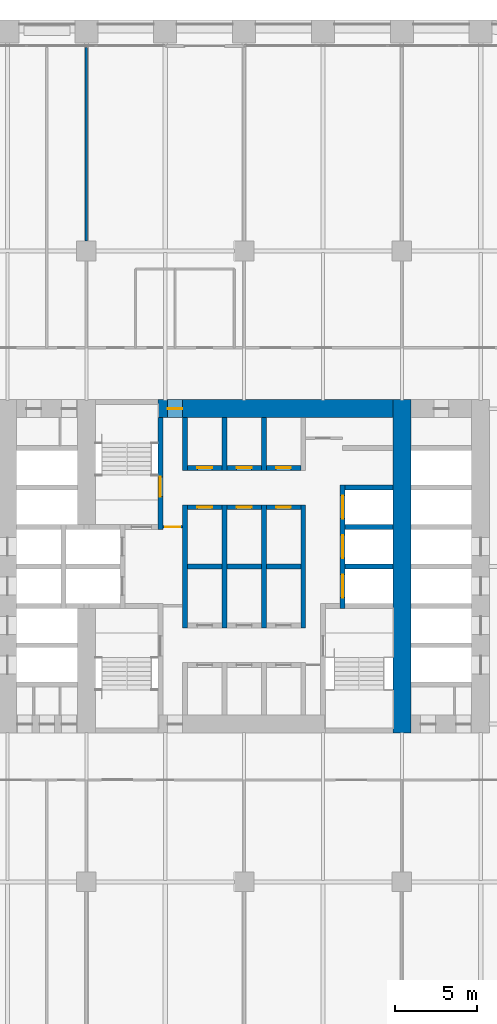
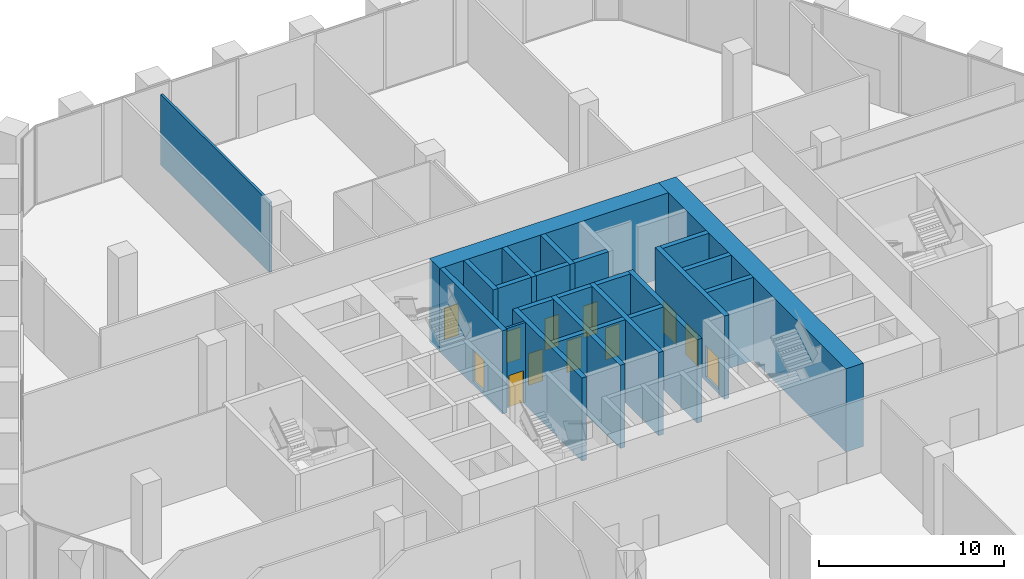
# One storey, part 20 of 27: 25 walls, 12 doors, 12 openings.
"""IFC4 building model written with IfcOpenShell, lengths in metres."""

from ifc_helpers import new_model, si_unit, direction, frame, frame_2d, origin, place, context, subcontext, project, spatial, rectangle, extrude, material, layer, layer_set, type_object, element, fill, save


model = new_model("IFC4")

# Units and contexts
model_context = context("Model", 3, precision=1e-05, world=origin(), true_north=direction((0.0, 1.0)))
body_context = subcontext(model_context, "Body", "Model", "MODEL_VIEW")
ifc_project = project(units=[si_unit("LENGTHUNIT", "METRE"), si_unit("AREAUNIT", "SQUARE_METRE"), si_unit("VOLUMEUNIT", "CUBIC_METRE"), si_unit("PLANEANGLEUNIT", "RADIAN"), si_unit("MASSUNIT", "GRAM", prefix="KILO")], contexts=[model_context])

# Site, building, storey
site_placement = place(None, origin())
site = spatial("IfcSite", under=ifc_project, at=site_placement, CompositionType="ELEMENT")
building_placement = place(site_placement, origin())
building = spatial("IfcBuilding", under=site, at=building_placement, Name="Kolab Exchange Tower", CompositionType="ELEMENT")
storey_placement = place(building_placement, frame((0.0, 0.0, 44.39990234375)))
storey = spatial("IfcBuildingStorey", under=building, at=storey_placement, Name="L08", CompositionType="ELEMENT", Elevation=44.39990234375)

# Wall, opening, door
ifc_material_1 = material(Name="Concrete C80/95", Category="concrete")
ifc_layer_1 = layer(ifc_material_1, 1.10009765625)
ifc_layer_set_1 = layer_set([ifc_layer_1], Name="Concrete C80/95")
wall_type_1 = type_object("IfcWallType", Name="CORE WALL 1100 C80/95", PredefinedType="SHEAR", material=ifc_layer_set_1)
wall_1_placement = place(storey_placement, frame((-5.25, 9.60009765625, -0.25), z_axis=(0.0, 0.0, 1.0), x_axis=(1.0, 0.0, 0.0)))
wall_1 = element("IfcWall", 1, at=wall_1_placement, inside=storey, type_object=wall_type_1, Name="wall/L08/core/052", PredefinedType="SHEAR", context=body_context, shape_type="SweptSolid", body=[
    extrude(rectangle(XDim=14.300048828125, YDim=1.10009765625, at=frame_2d((7.14990234375, 0.0))), origin(), (0.0, 0.0, 1.0), 5.5),
])
opening_1_placement = place(wall_1_placement, frame((0.60009765625, 0.0, 0.25)))
opening_1 = element("IfcOpeningElement", 2, at=opening_1_placement, cuts=wall_1, Name="Opening D6-107", PredefinedType="OPENING", context=body_context, shape_type="SweptSolid", body=[
    extrude(rectangle(XDim=0.89990234375, YDim=2.10009765625, at=frame_2d((0.449951171875, 1.050048828125))), frame((0.0, 0.56005859375, 0.0), z_axis=(0.0, -1.0, 0.0), x_axis=(1.0, 0.0, 0.0)), (0.0, 0.0, 1.0), 1.1201171875),
])
ifc_material_2 = material(Name="Steel S235", Category="steel")
door_type_1 = type_object("IfcDoorType", Name="CORE DOOR 900 EI 120", OperationType="SINGLE_SWING_LEFT", PredefinedType="DOOR", material=ifc_material_2)
door_1_placement = place(opening_1_placement, frame((0.89990234375, 0.0, 0.0), z_axis=(0.0, 0.0, 1.0), x_axis=(-1.0, 0.0, 0.0)))
door_1 = element("IfcDoor", 3, at=door_1_placement, inside=storey, type_object=door_type_1, Name="Core lobby door", OperationType="SINGLE_SWING_RIGHT", OverallHeight=2.10009765625, OverallWidth=0.89990234375, PredefinedType="DOOR", context=body_context, shape_type="SweptSolid", body=[
    extrude(rectangle(XDim=0.89990234375, YDim=2.10009765625, at=frame_2d((0.449951171875, 1.050048828125))), frame((0.0, 0.02490234375, 0.0), z_axis=(0.0, -1.0, 0.0), x_axis=(1.0, 0.0, 0.0)), (0.0, 0.0, 1.0), 0.050048828125),
])
fill(opening_1, door_1)

# Walls
wall_2_placement = place(storey_placement, frame((9.60009765625, -10.14990234375, -0.25), z_axis=(0.0, 0.0, 1.0), x_axis=(0.0, 1.0, 0.0)))
element("IfcWall", 4, at=wall_2_placement, inside=storey, type_object=wall_type_1, Name="wall/L08/core/080", PredefinedType="SHEAR", context=body_context, shape_type="SweptSolid", body=[
    extrude(rectangle(XDim=20.2998046875, YDim=1.10009765625, at=frame_2d((10.14990234375, 0.0))), origin(), (0.0, 0.0, 1.0), 5.5),
])
ifc_material_3 = material(Name="Concrete C50/60", Category="concrete")
ifc_layer_2 = layer(ifc_material_3, 0.300048828125)
ifc_layer_set_2 = layer_set([ifc_layer_2], Name="Concrete C50/60")
wall_type_2 = type_object("IfcWallType", Name="LIFT SHAFT WALL 300 C50/60", PredefinedType="STANDARD", material=ifc_layer_set_2)
wall_3_placement = place(storey_placement, frame((-3.449951171875, 0.0, -0.25), z_axis=(0.0, 0.0, 1.0), x_axis=(1.0, 0.0, 0.0)))
element("IfcWall", 5, at=wall_3_placement, inside=storey, type_object=wall_type_2, Name="wall/L08/core/026", PredefinedType="STANDARD", context=body_context, shape_type="SweptSolid", body=[
    extrude(rectangle(XDim=2.099853515625, YDim=0.300048828125, at=frame_2d((1.0498046875, 0.0))), origin(), (0.0, 0.0, 1.0), 5.5),
])
wall_4_placement = place(storey_placement, frame((-1.050048828125, 0.0, -0.25), z_axis=(0.0, 0.0, 1.0), x_axis=(1.0, 0.0, 0.0)))
element("IfcWall", 6, at=wall_4_placement, inside=storey, type_object=wall_type_2, Name="wall/L08/core/027", PredefinedType="STANDARD", context=body_context, shape_type="SweptSolid", body=[
    extrude(rectangle(XDim=2.10009765625, YDim=0.300048828125, at=frame_2d((1.050048828125, 0.0))), origin(), (0.0, 0.0, 1.0), 5.5),
])
wall_5_placement = place(storey_placement, frame((1.35009765625, 0.0, -0.25), z_axis=(0.0, 0.0, 1.0), x_axis=(1.0, 0.0, 0.0)))
element("IfcWall", 7, at=wall_5_placement, inside=storey, type_object=wall_type_2, Name="wall/L08/core/028", PredefinedType="STANDARD", context=body_context, shape_type="SweptSolid", body=[
    extrude(rectangle(XDim=2.099853515625, YDim=0.300048828125, at=frame_2d((1.0498046875, 0.0))), origin(), (0.0, 0.0, 1.0), 5.5),
])
for number, where, z_axis, x_axis, name in (
    (8, (6.14990234375, 0.0, -0.25), (0.0, 0.0, 1.0), (1.0, 0.0, 0.0), "wall/L08/core/029"),
    (9, (6.14990234375, 2.39990234375, -0.25), (0.0, 0.0, 1.0), (1.0, 0.0, 0.0), "wall/L08/core/035"),
):
    element("IfcWall", number, at=place(storey_placement, frame(where, z_axis=z_axis, x_axis=x_axis)), inside=storey, type_object=wall_type_2, Name=name, PredefinedType="STANDARD", context=body_context, shape_type="SweptSolid", body=[
        extrude(rectangle(XDim=2.900146484375, YDim=0.300048828125, at=frame_2d((1.4501953125, 0.0))), origin(), (0.0, 0.0, 1.0), 5.5),
    ])

# Wall, opening, door
wall_6_placement = place(storey_placement, frame((-3.449951171875, 3.60009765625, -0.25), z_axis=(0.0, 0.0, 1.0), x_axis=(1.0, 0.0, 0.0)))
wall_6 = element("IfcWall", 10, at=wall_6_placement, inside=storey, type_object=wall_type_2, Name="wall/L08/core/037", PredefinedType="STANDARD", context=body_context, shape_type="SweptSolid", body=[
    extrude(rectangle(XDim=2.099853515625, YDim=0.300048828125, at=frame_2d((1.0498046875, 0.0))), origin(), (0.0, 0.0, 1.0), 5.5),
])
opening_2_placement = place(wall_6_placement, frame((0.60009765625, 0.0, 0.25)))
opening_2 = element("IfcOpeningElement", 11, at=opening_2_placement, cuts=wall_6, Name="Opening D6-089", PredefinedType="OPENING", context=body_context, shape_type="SweptSolid", body=[
    extrude(rectangle(XDim=0.89990234375, YDim=2.10009765625, at=frame_2d((0.449951171875, 1.050048828125))), frame((0.0, 0.16015625, 0.0), z_axis=(0.0, -1.0, 0.0), x_axis=(1.0, 0.0, 0.0)), (0.0, 0.0, 1.0), 0.320068359375),
])
door_2_placement = place(opening_2_placement, frame((0.89990234375, 0.0, 0.0), z_axis=(0.0, 0.0, 1.0), x_axis=(-1.0, 0.0, 0.0)))
door_2 = element("IfcDoor", 12, at=door_2_placement, inside=storey, type_object=door_type_1, Name="Service room door", OperationType="SINGLE_SWING_LEFT", OverallHeight=2.10009765625, OverallWidth=0.89990234375, PredefinedType="DOOR", context=body_context, shape_type="SweptSolid", body=[
    extrude(rectangle(XDim=0.89990234375, YDim=2.10009765625, at=frame_2d((0.449951171875, 1.050048828125))), frame((0.0, 0.02490234375, 0.0), z_axis=(0.0, -1.0, 0.0), x_axis=(1.0, 0.0, 0.0)), (0.0, 0.0, 1.0), 0.050048828125),
])
fill(opening_2, door_2)

wall_7_placement = place(storey_placement, frame((-1.050048828125, 3.60009765625, -0.25), z_axis=(0.0, 0.0, 1.0), x_axis=(1.0, 0.0, 0.0)))
wall_7 = element("IfcWall", 13, at=wall_7_placement, inside=storey, type_object=wall_type_2, Name="wall/L08/core/038", PredefinedType="STANDARD", context=body_context, shape_type="SweptSolid", body=[
    extrude(rectangle(XDim=2.10009765625, YDim=0.300048828125, at=frame_2d((1.050048828125, 0.0))), origin(), (0.0, 0.0, 1.0), 5.5),
])
opening_3_placement = place(wall_7_placement, frame((0.60009765625, 0.0, 0.25)))
opening_3 = element("IfcOpeningElement", 14, at=opening_3_placement, cuts=wall_7, Name="Opening D6-088", PredefinedType="OPENING", context=body_context, shape_type="SweptSolid", body=[
    extrude(rectangle(XDim=0.89990234375, YDim=2.10009765625, at=frame_2d((0.449951171875, 1.050048828125))), frame((0.0, 0.16015625, 0.0), z_axis=(0.0, -1.0, 0.0), x_axis=(1.0, 0.0, 0.0)), (0.0, 0.0, 1.0), 0.320068359375),
])
door_3_placement = place(opening_3_placement, frame((0.89990234375, 0.0, 0.0), z_axis=(0.0, 0.0, 1.0), x_axis=(-1.0, 0.0, 0.0)))
door_3 = element("IfcDoor", 15, at=door_3_placement, inside=storey, type_object=door_type_1, Name="Service room door", OperationType="SINGLE_SWING_LEFT", OverallHeight=2.10009765625, OverallWidth=0.89990234375, PredefinedType="DOOR", context=body_context, shape_type="SweptSolid", body=[
    extrude(rectangle(XDim=0.89990234375, YDim=2.10009765625, at=frame_2d((0.449951171875, 1.050048828125))), frame((0.0, 0.02490234375, 0.0), z_axis=(0.0, -1.0, 0.0), x_axis=(1.0, 0.0, 0.0)), (0.0, 0.0, 1.0), 0.050048828125),
])
fill(opening_3, door_3)

wall_8_placement = place(storey_placement, frame((1.35009765625, 3.60009765625, -0.25), z_axis=(0.0, 0.0, 1.0), x_axis=(1.0, 0.0, 0.0)))
wall_8 = element("IfcWall", 16, at=wall_8_placement, inside=storey, type_object=wall_type_2, Name="wall/L08/core/039", PredefinedType="STANDARD", context=body_context, shape_type="SweptSolid", body=[
    extrude(rectangle(XDim=2.099853515625, YDim=0.300048828125, at=frame_2d((1.0498046875, 0.0))), origin(), (0.0, 0.0, 1.0), 5.5),
])
opening_4_placement = place(wall_8_placement, frame((0.60009765625, 0.0, 0.25)))
opening_4 = element("IfcOpeningElement", 17, at=opening_4_placement, cuts=wall_8, Name="Opening D6-087", PredefinedType="OPENING", context=body_context, shape_type="SweptSolid", body=[
    extrude(rectangle(XDim=0.89990234375, YDim=2.10009765625, at=frame_2d((0.449951171875, 1.050048828125))), frame((0.0, 0.16015625, 0.0), z_axis=(0.0, -1.0, 0.0), x_axis=(1.0, 0.0, 0.0)), (0.0, 0.0, 1.0), 0.320068359375),
])
door_4_placement = place(opening_4_placement, frame((0.89990234375, 0.0, 0.0), z_axis=(0.0, 0.0, 1.0), x_axis=(-1.0, 0.0, 0.0)))
door_4 = element("IfcDoor", 18, at=door_4_placement, inside=storey, type_object=door_type_1, Name="Service room door", OperationType="SINGLE_SWING_RIGHT", OverallHeight=2.10009765625, OverallWidth=0.89990234375, PredefinedType="DOOR", context=body_context, shape_type="SweptSolid", body=[
    extrude(rectangle(XDim=0.89990234375, YDim=2.10009765625, at=frame_2d((0.449951171875, 1.050048828125))), frame((0.0, 0.02490234375, 0.0), z_axis=(0.0, -1.0, 0.0), x_axis=(1.0, 0.0, 0.0)), (0.0, 0.0, 1.0), 0.050048828125),
])
fill(opening_4, door_4)

# Wall
wall_9_placement = place(storey_placement, frame((6.14990234375, 4.800048828125, -0.25), z_axis=(0.0, 0.0, 1.0), x_axis=(1.0, 0.0, 0.0)))
element("IfcWall", 19, at=wall_9_placement, inside=storey, type_object=wall_type_2, Name="wall/L08/core/043", PredefinedType="STANDARD", context=body_context, shape_type="SweptSolid", body=[
    extrude(rectangle(XDim=2.900146484375, YDim=0.300048828125, at=frame_2d((1.4501953125, 0.0))), origin(), (0.0, 0.0, 1.0), 5.5),
])

# Wall, opening, door
wall_10_placement = place(storey_placement, frame((-3.449951171875, 6.0, -0.25), z_axis=(0.0, 0.0, 1.0), x_axis=(1.0, 0.0, 0.0)))
wall_10 = element("IfcWall", 20, at=wall_10_placement, inside=storey, type_object=wall_type_2, Name="wall/L08/core/045", PredefinedType="STANDARD", context=body_context, shape_type="SweptSolid", body=[
    extrude(rectangle(XDim=2.099853515625, YDim=0.300048828125, at=frame_2d((1.0498046875, 0.0))), origin(), (0.0, 0.0, 1.0), 5.5),
])
opening_5_placement = place(wall_10_placement, frame((0.60009765625, 0.0, 0.25)))
opening_5 = element("IfcOpeningElement", 21, at=opening_5_placement, cuts=wall_10, Name="Opening D6-086", PredefinedType="OPENING", context=body_context, shape_type="SweptSolid", body=[
    extrude(rectangle(XDim=0.89990234375, YDim=2.10009765625, at=frame_2d((0.449951171875, 1.050048828125))), frame((0.0, 0.16015625, 0.0), z_axis=(0.0, -1.0, 0.0), x_axis=(1.0, 0.0, 0.0)), (0.0, 0.0, 1.0), 0.320068359375),
])
door_5_placement = place(opening_5_placement, origin())
door_5 = element("IfcDoor", 22, at=door_5_placement, inside=storey, type_object=door_type_1, Name="Service room door", OperationType="SINGLE_SWING_LEFT", OverallHeight=2.10009765625, OverallWidth=0.89990234375, PredefinedType="DOOR", context=body_context, shape_type="SweptSolid", body=[
    extrude(rectangle(XDim=0.89990234375, YDim=2.10009765625, at=frame_2d((0.449951171875, 1.050048828125))), frame((0.0, 0.02490234375, 0.0), z_axis=(0.0, -1.0, 0.0), x_axis=(1.0, 0.0, 0.0)), (0.0, 0.0, 1.0), 0.050048828125),
])
fill(opening_5, door_5)

wall_11_placement = place(storey_placement, frame((-1.050048828125, 6.0, -0.25), z_axis=(0.0, 0.0, 1.0), x_axis=(1.0, 0.0, 0.0)))
wall_11 = element("IfcWall", 23, at=wall_11_placement, inside=storey, type_object=wall_type_2, Name="wall/L08/core/046", PredefinedType="STANDARD", context=body_context, shape_type="SweptSolid", body=[
    extrude(rectangle(XDim=2.10009765625, YDim=0.300048828125, at=frame_2d((1.050048828125, 0.0))), origin(), (0.0, 0.0, 1.0), 5.5),
])
opening_6_placement = place(wall_11_placement, frame((0.60009765625, 0.0, 0.25)))
opening_6 = element("IfcOpeningElement", 24, at=opening_6_placement, cuts=wall_11, Name="Opening D6-105", PredefinedType="OPENING", context=body_context, shape_type="SweptSolid", body=[
    extrude(rectangle(XDim=0.89990234375, YDim=2.10009765625, at=frame_2d((0.449951171875, 1.050048828125))), frame((0.0, 0.16015625, 0.0), z_axis=(0.0, -1.0, 0.0), x_axis=(1.0, 0.0, 0.0)), (0.0, 0.0, 1.0), 0.320068359375),
])
door_6_placement = place(opening_6_placement, origin())
door_6 = element("IfcDoor", 25, at=door_6_placement, inside=storey, type_object=door_type_1, Name="Service room door", OperationType="SINGLE_SWING_LEFT", OverallHeight=2.10009765625, OverallWidth=0.89990234375, PredefinedType="DOOR", context=body_context, shape_type="SweptSolid", body=[
    extrude(rectangle(XDim=0.89990234375, YDim=2.10009765625, at=frame_2d((0.449951171875, 1.050048828125))), frame((0.0, 0.02490234375, 0.0), z_axis=(0.0, -1.0, 0.0), x_axis=(1.0, 0.0, 0.0)), (0.0, 0.0, 1.0), 0.050048828125),
])
fill(opening_6, door_6)

wall_12_placement = place(storey_placement, frame((1.35009765625, 6.0, -0.25), z_axis=(0.0, 0.0, 1.0), x_axis=(1.0, 0.0, 0.0)))
wall_12 = element("IfcWall", 26, at=wall_12_placement, inside=storey, type_object=wall_type_2, Name="wall/L08/core/047", PredefinedType="STANDARD", context=body_context, shape_type="SweptSolid", body=[
    extrude(rectangle(XDim=2.099853515625, YDim=0.300048828125, at=frame_2d((1.0498046875, 0.0))), origin(), (0.0, 0.0, 1.0), 5.5),
])
opening_7_placement = place(wall_12_placement, frame((0.60009765625, 0.0, 0.25)))
opening_7 = element("IfcOpeningElement", 27, at=opening_7_placement, cuts=wall_12, Name="Opening D6-084", PredefinedType="OPENING", context=body_context, shape_type="SweptSolid", body=[
    extrude(rectangle(XDim=0.89990234375, YDim=2.10009765625, at=frame_2d((0.449951171875, 1.050048828125))), frame((0.0, 0.16015625, 0.0), z_axis=(0.0, -1.0, 0.0), x_axis=(1.0, 0.0, 0.0)), (0.0, 0.0, 1.0), 0.320068359375),
])
door_7_placement = place(opening_7_placement, origin())
door_7 = element("IfcDoor", 28, at=door_7_placement, inside=storey, type_object=door_type_1, Name="Service room door", OperationType="SINGLE_SWING_RIGHT", OverallHeight=2.10009765625, OverallWidth=0.89990234375, PredefinedType="DOOR", context=body_context, shape_type="SweptSolid", body=[
    extrude(rectangle(XDim=0.89990234375, YDim=2.10009765625, at=frame_2d((0.449951171875, 1.050048828125))), frame((0.0, 0.02490234375, 0.0), z_axis=(0.0, -1.0, 0.0), x_axis=(1.0, 0.0, 0.0)), (0.0, 0.0, 1.0), 0.050048828125),
])
fill(opening_7, door_7)

# Walls
wall_13_placement = place(storey_placement, frame((-3.60009765625, -3.75, -0.25), z_axis=(0.0, 0.0, 1.0), x_axis=(0.0, 1.0, 0.0)))
element("IfcWall", 29, at=wall_13_placement, inside=storey, type_object=wall_type_2, Name="wall/L08/core/067", PredefinedType="STANDARD", context=body_context, shape_type="SweptSolid", body=[
    extrude(rectangle(XDim=7.5, YDim=0.300048828125, at=frame_2d((3.75, 0.0))), origin(), (0.0, 0.0, 1.0), 5.5),
])
wall_14_placement = place(storey_placement, frame((-3.60009765625, 5.85009765625, -0.25), z_axis=(0.0, 0.0, 1.0), x_axis=(0.0, 1.0, 0.0)))
element("IfcWall", 30, at=wall_14_placement, inside=storey, type_object=wall_type_2, Name="wall/L08/core/068", PredefinedType="STANDARD", context=body_context, shape_type="SweptSolid", body=[
    extrude(rectangle(XDim=3.199951171875, YDim=0.300048828125, at=frame_2d((1.60009765625, 0.0))), origin(), (0.0, 0.0, 1.0), 5.5),
])
wall_15_placement = place(storey_placement, frame((-1.199951171875, -3.75, -0.25), z_axis=(0.0, 0.0, 1.0), x_axis=(0.0, 1.0, 0.0)))
element("IfcWall", 31, at=wall_15_placement, inside=storey, type_object=wall_type_2, Name="wall/L08/core/070", PredefinedType="STANDARD", context=body_context, shape_type="SweptSolid", body=[
    extrude(rectangle(XDim=7.5, YDim=0.300048828125, at=frame_2d((3.75, 0.0))), origin(), (0.0, 0.0, 1.0), 5.5),
])
wall_16_placement = place(storey_placement, frame((-1.199951171875, 5.85009765625, -0.25), z_axis=(0.0, 0.0, 1.0), x_axis=(0.0, 1.0, 0.0)))
element("IfcWall", 32, at=wall_16_placement, inside=storey, type_object=wall_type_2, Name="wall/L08/core/071", PredefinedType="STANDARD", context=body_context, shape_type="SweptSolid", body=[
    extrude(rectangle(XDim=3.199951171875, YDim=0.300048828125, at=frame_2d((1.60009765625, 0.0))), origin(), (0.0, 0.0, 1.0), 5.5),
])
wall_17_placement = place(storey_placement, frame((1.199951171875, -3.75, -0.25), z_axis=(0.0, 0.0, 1.0), x_axis=(0.0, 1.0, 0.0)))
element("IfcWall", 33, at=wall_17_placement, inside=storey, type_object=wall_type_2, Name="wall/L08/core/073", PredefinedType="STANDARD", context=body_context, shape_type="SweptSolid", body=[
    extrude(rectangle(XDim=7.5, YDim=0.300048828125, at=frame_2d((3.75, 0.0))), origin(), (0.0, 0.0, 1.0), 5.5),
])
wall_18_placement = place(storey_placement, frame((1.199951171875, 5.85009765625, -0.25), z_axis=(0.0, 0.0, 1.0), x_axis=(0.0, 1.0, 0.0)))
element("IfcWall", 34, at=wall_18_placement, inside=storey, type_object=wall_type_2, Name="wall/L08/core/074", PredefinedType="STANDARD", context=body_context, shape_type="SweptSolid", body=[
    extrude(rectangle(XDim=3.199951171875, YDim=0.300048828125, at=frame_2d((1.60009765625, 0.0))), origin(), (0.0, 0.0, 1.0), 5.5),
])
wall_19_placement = place(storey_placement, frame((3.60009765625, -3.75, -0.25), z_axis=(0.0, 0.0, 1.0), x_axis=(0.0, 1.0, 0.0)))
element("IfcWall", 35, at=wall_19_placement, inside=storey, type_object=wall_type_2, Name="wall/L08/core/076", PredefinedType="STANDARD", context=body_context, shape_type="SweptSolid", body=[
    extrude(rectangle(XDim=7.5, YDim=0.300048828125, at=frame_2d((3.75, 0.0))), origin(), (0.0, 0.0, 1.0), 5.5),
])

# Wall, openings, doors
wall_20_placement = place(storey_placement, frame((6.0, -2.550048828125, -0.25), z_axis=(0.0, 0.0, 1.0), x_axis=(0.0, 1.0, 0.0)))
wall_20 = element("IfcWall", 36, at=wall_20_placement, inside=storey, type_object=wall_type_2, Name="wall/L08/core/079", PredefinedType="STANDARD", context=body_context, shape_type="SweptSolid", body=[
    extrude(rectangle(XDim=7.5, YDim=0.300048828125, at=frame_2d((3.75, 0.0))), origin(), (0.0, 0.0, 1.0), 5.5),
])
opening_8_placement = place(wall_20_placement, frame((0.64990234375, 0.0, 0.25)))
opening_8 = element("IfcOpeningElement", 37, at=opening_8_placement, cuts=wall_20, Name="Opening LD3-013", PredefinedType="OPENING", context=body_context, shape_type="SweptSolid", body=[
    extrude(rectangle(XDim=1.39990234375, YDim=2.10009765625, at=frame_2d((0.699951171875, 1.050048828125))), frame((0.0, 0.16015625, 0.0), z_axis=(0.0, -1.0, 0.0), x_axis=(1.0, 0.0, 0.0)), (0.0, 0.0, 1.0), 0.320068359375),
])
opening_9_placement = place(wall_20_placement, frame((3.050048828125, 0.0, 0.25)))
opening_9 = element("IfcOpeningElement", 38, at=opening_9_placement, cuts=wall_20, Name="Opening LD3-014", PredefinedType="OPENING", context=body_context, shape_type="SweptSolid", body=[
    extrude(rectangle(XDim=1.39990234375, YDim=2.10009765625, at=frame_2d((0.699951171875, 1.050048828125))), frame((0.0, 0.16015625, 0.0), z_axis=(0.0, -1.0, 0.0), x_axis=(1.0, 0.0, 0.0)), (0.0, 0.0, 1.0), 0.320068359375),
])
opening_10_placement = place(wall_20_placement, frame((5.449951171875, 0.0, 0.25)))
opening_10 = element("IfcOpeningElement", 39, at=opening_10_placement, cuts=wall_20, Name="Opening LD3-015", PredefinedType="OPENING", context=body_context, shape_type="SweptSolid", body=[
    extrude(rectangle(XDim=1.39990234375, YDim=2.10009765625, at=frame_2d((0.699951171875, 1.050048828125))), frame((0.0, 0.16015625, 0.0), z_axis=(0.0, -1.0, 0.0), x_axis=(1.0, 0.0, 0.0)), (0.0, 0.0, 1.0), 0.320068359375),
])
ifc_material_4 = material(Name="Stainless steel 316", Category="steel")
door_type_2 = type_object("IfcDoorType", Name="LANDING DOOR 1400 SERVICE", OperationType="DOUBLE_DOOR_SLIDING", PredefinedType="DOOR", material=ifc_material_4)
door_8_placement = place(opening_8_placement, origin())
door_8 = element("IfcDoor", 40, at=door_8_placement, inside=storey, type_object=door_type_2, Name="Landing door SV1", OperationType="DOUBLE_DOOR_SLIDING", OverallHeight=2.10009765625, OverallWidth=1.39990234375, PredefinedType="DOOR", context=body_context, shape_type="SweptSolid", body=[
    extrude(rectangle(XDim=1.39990234375, YDim=2.10009765625, at=frame_2d((0.699951171875, 1.050048828125))), frame((0.0, 0.02490234375, 0.0), z_axis=(0.0, -1.0, 0.0), x_axis=(1.0, 0.0, 0.0)), (0.0, 0.0, 1.0), 0.050048828125),
])
fill(opening_8, door_8)
door_9_placement = place(opening_9_placement, origin())
door_9 = element("IfcDoor", 41, at=door_9_placement, inside=storey, type_object=door_type_2, Name="Landing door SV2", OperationType="DOUBLE_DOOR_SLIDING", OverallHeight=2.10009765625, OverallWidth=1.39990234375, PredefinedType="DOOR", context=body_context, shape_type="SweptSolid", body=[
    extrude(rectangle(XDim=1.39990234375, YDim=2.10009765625, at=frame_2d((0.699951171875, 1.050048828125))), frame((0.0, 0.02490234375, 0.0), z_axis=(0.0, -1.0, 0.0), x_axis=(1.0, 0.0, 0.0)), (0.0, 0.0, 1.0), 0.050048828125),
])
fill(opening_9, door_9)
door_10_placement = place(opening_10_placement, origin())
door_10 = element("IfcDoor", 42, at=door_10_placement, inside=storey, type_object=door_type_2, Name="Landing door SV3", OperationType="DOUBLE_DOOR_SLIDING", OverallHeight=2.10009765625, OverallWidth=1.39990234375, PredefinedType="DOOR", context=body_context, shape_type="SweptSolid", body=[
    extrude(rectangle(XDim=1.39990234375, YDim=2.10009765625, at=frame_2d((0.699951171875, 1.050048828125))), frame((0.0, 0.02490234375, 0.0), z_axis=(0.0, -1.0, 0.0), x_axis=(1.0, 0.0, 0.0)), (0.0, 0.0, 1.0), 0.050048828125),
])
fill(opening_10, door_10)

# Wall
ifc_material_5 = material(Name="Gypsum board", Category="gypsum")
ifc_layer_3 = layer(ifc_material_5, 0.14990234375)
ifc_layer_set_3 = layer_set([ifc_layer_3], Name="Gypsum board")
wall_type_3 = type_object("IfcWallType", Name="PARTITION 150 FIRE-RATED", PredefinedType="PARTITIONING", material=ifc_layer_set_3)
wall_21_placement = place(storey_placement, frame((-9.60009765625, 19.800048828125, 0.0), z_axis=(0.0, 0.0, 1.0), x_axis=(0.0, 1.0, 0.0)))
element("IfcWall", 43, at=wall_21_placement, inside=storey, type_object=wall_type_3, Name="Partition 019", PredefinedType="PARTITIONING", context=body_context, shape_type="SweptSolid", body=[
    extrude(rectangle(XDim=11.785400390625, YDim=0.14990234375, at=frame_2d((5.892578125, 0.0))), origin(), (0.0, 0.0, 1.0), 4.64208984375),
])

# Wall, opening, door
wall_22_placement = place(storey_placement, frame((-4.949951171875, 2.39990234375, 0.0), z_axis=(0.0, 0.0, 1.0), x_axis=(1.0, 0.0, 0.0)))
wall_22 = element("IfcWall", 44, at=wall_22_placement, inside=storey, type_object=wall_type_3, Name="Fire partition", PredefinedType="PARTITIONING", context=body_context, shape_type="SweptSolid", body=[
    extrude(rectangle(XDim=1.199951171875, YDim=0.14990234375, at=frame_2d((0.60009765625, 0.0))), origin(), (0.0, 0.0, 1.0), 5.25),
])
opening_11_placement = place(wall_22_placement, frame((0.14990234375, 0.0, 0.0)))
opening_11 = element("IfcOpeningElement", 45, at=opening_11_placement, cuts=wall_22, Name="Opening D6-097", PredefinedType="OPENING", context=body_context, shape_type="SweptSolid", body=[
    extrude(rectangle(XDim=0.89990234375, YDim=2.10009765625, at=frame_2d((0.449951171875, 1.050048828125))), frame((0.0, 0.0849609375, 0.0), z_axis=(0.0, -1.0, 0.0), x_axis=(1.0, 0.0, 0.0)), (0.0, 0.0, 1.0), 0.169921875),
])
door_11_placement = place(opening_11_placement, frame((0.89990234375, 0.0, 0.0), z_axis=(0.0, 0.0, 1.0), x_axis=(-1.0, 0.0, 0.0)))
door_11 = element("IfcDoor", 46, at=door_11_placement, inside=storey, type_object=door_type_1, Name="Firefighting lobby door", OperationType="SINGLE_SWING_RIGHT", OverallHeight=2.10009765625, OverallWidth=0.89990234375, PredefinedType="DOOR", context=body_context, shape_type="SweptSolid", body=[
    extrude(rectangle(XDim=0.89990234375, YDim=2.10009765625, at=frame_2d((0.449951171875, 1.050048828125))), frame((0.0, 0.02490234375, 0.0), z_axis=(0.0, -1.0, 0.0), x_axis=(1.0, 0.0, 0.0)), (0.0, 0.0, 1.0), 0.050048828125),
])
fill(opening_11, door_11)

ifc_layer_4 = layer(ifc_material_3, 0.300048828125)
ifc_layer_set_4 = layer_set([ifc_layer_4], Name="Concrete C50/60")
wall_type_4 = type_object("IfcWallType", Name="STAIR ENCLOSURE WALL 300 C50/60", PredefinedType="STANDARD", material=ifc_layer_set_4)
wall_23_placement = place(storey_placement, frame((-5.10009765625, 2.25, -0.25), z_axis=(0.0, 0.0, 1.0), x_axis=(0.0, 1.0, 0.0)))
wall_23 = element("IfcWall", 47, at=wall_23_placement, inside=storey, type_object=wall_type_4, Name="wall/L08/core/065", PredefinedType="STANDARD", context=body_context, shape_type="SweptSolid", body=[
    extrude(rectangle(XDim=6.800048828125, YDim=0.300048828125, at=frame_2d((3.39990234375, 0.0))), origin(), (0.0, 0.0, 1.0), 5.5),
])
opening_12_placement = place(wall_23_placement, frame((2.0, 0.0, 0.25)))
opening_12 = element("IfcOpeningElement", 48, at=opening_12_placement, cuts=wall_23, Name="Opening D4-020", PredefinedType="OPENING", context=body_context, shape_type="SweptSolid", body=[
    extrude(rectangle(XDim=1.199951171875, YDim=2.10009765625, at=frame_2d((0.60009765625, 1.050048828125))), frame((0.0, 0.16015625, 0.0), z_axis=(0.0, -1.0, 0.0), x_axis=(1.0, 0.0, 0.0)), (0.0, 0.0, 1.0), 0.320068359375),
])
door_type_3 = type_object("IfcDoorType", Name="STAIR DOOR 1200 EI 120", OperationType="SINGLE_SWING_LEFT", PredefinedType="DOOR", material=ifc_material_2)
door_12_placement = place(opening_12_placement, origin())
door_12 = element("IfcDoor", 49, at=door_12_placement, inside=storey, type_object=door_type_3, Name="Stair 1 door", OperationType="SINGLE_SWING_LEFT", OverallHeight=2.10009765625, OverallWidth=1.199951171875, PredefinedType="DOOR", context=body_context, shape_type="SweptSolid", body=[
    extrude(rectangle(XDim=1.199951171875, YDim=2.10009765625, at=frame_2d((0.60009765625, 1.050048828125))), frame((0.0, 0.02490234375, 0.0), z_axis=(0.0, -1.0, 0.0), x_axis=(1.0, 0.0, 0.0)), (0.0, 0.0, 1.0), 0.050048828125),
])
fill(opening_12, door_12)

save(model, "model.ifc")
